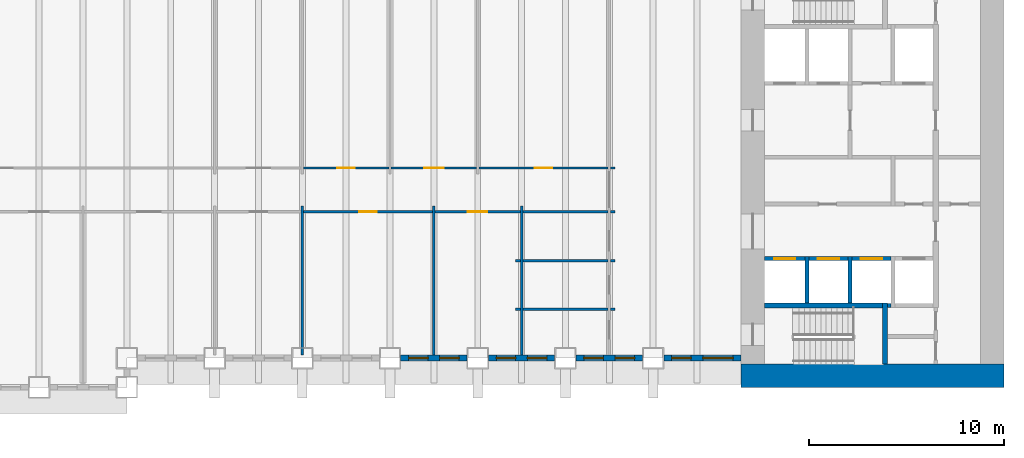
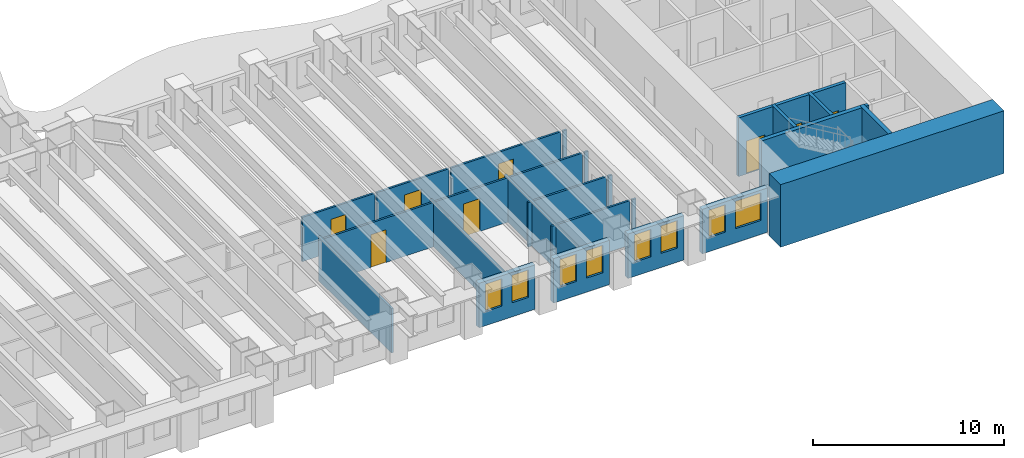
# One storey, part 5 of 16: 30 walls, 8 doors, 8 windows, 16 openings.
"""IFC4 building model written with IfcOpenShell, lengths in metres."""

from ifc_helpers import new_model, si_unit, direction, frame, frame_2d, origin, place, context, subcontext, project, spatial, rectangle, extrude, material, layer, layer_set, type_object, element, fill, save


model = new_model("IFC4")

# Units and contexts
model_context = context("Model", 3, precision=1e-05, world=origin(), true_north=direction((0.0, 1.0)))
body_context = subcontext(model_context, "Body", "Model", "MODEL_VIEW")
ifc_project = project(units=[si_unit("LENGTHUNIT", "METRE"), si_unit("AREAUNIT", "SQUARE_METRE"), si_unit("VOLUMEUNIT", "CUBIC_METRE"), si_unit("PLANEANGLEUNIT", "RADIAN"), si_unit("MASSUNIT", "GRAM", prefix="KILO")], contexts=[model_context])

# Site, building, storey
site_placement = place(None, origin())
site = spatial("IfcSite", under=ifc_project, at=site_placement, CompositionType="ELEMENT")
building_placement = place(site_placement, origin())
building = spatial("IfcBuilding", under=site, at=building_placement, Name="Sennacour Bend Tower", CompositionType="ELEMENT")
storey_placement = place(building_placement, frame((0.0, 0.0, 73.0)))
storey = spatial("IfcBuildingStorey", under=building, at=storey_placement, Name="L16", CompositionType="ELEMENT", Elevation=73.0)

# Walls
ifc_material_1 = material(Name="Concrete C80/95", Category="concrete")
ifc_layer_1 = layer(ifc_material_1, 1.199951171875, Name="Concrete C80/95", Category="concrete")
ifc_layer_set_1 = layer_set([ifc_layer_1], Name="Concrete C80/95")
wall_type_1 = type_object("IfcWallType", Name="Core wall 1200 C80/95", PredefinedType="SHEAR", material=ifc_layer_set_1)
wall_1_placement = place(storey_placement, frame((67.5, 0.60009765625, -0.14990234375), z_axis=(0.0, 0.0, 1.0), x_axis=(-1.0, 0.0, 0.0)))
element("IfcWall", 1, at=wall_1_placement, inside=storey, type_object=wall_type_1, Name="Core A wall L16 S", PredefinedType="SHEAR", context=body_context, shape_type="SweptSolid", body=[
    extrude(rectangle(XDim=13.5, YDim=1.199951171875, at=frame_2d((6.75, 0.0))), origin(), (0.0, 0.0, 1.0), 4.0),
])
ifc_material_2 = material(Name="Plasterboard partition on steel studs", Category="steel")
ifc_layer_2 = layer(ifc_material_2, 0.1201171875, Name="Plasterboard partition on steel studs", Category="steel")
ifc_layer_set_2 = layer_set([ifc_layer_2], Name="Plasterboard partition on steel studs")
wall_type_2 = type_object("IfcWallType", Name="Partition 120", PredefinedType="PARTITIONING", material=ifc_layer_set_2)
for number, where, z_axis, x_axis, name in (
    (2, (31.5, 1.64990234375, 0.0), (0.0, 0.0, 1.0), (0.0, 1.0, 0.0), "P-L16-W028a"),
    (3, (38.25, 1.64990234375, 0.0), (0.0, 0.0, 1.0), (0.0, 1.0, 0.0), "P-L16-W031a"),
    (4, (42.75, 1.64990234375, 0.0), (0.0, 0.0, 1.0), (0.0, 1.0, 0.0), "P-L16-W033a"),
):
    element("IfcWall", number, at=place(storey_placement, frame(where, z_axis=z_axis, x_axis=x_axis)), inside=storey, type_object=wall_type_2, Name=name, PredefinedType="PARTITIONING", context=body_context, shape_type="SweptSolid", body=[
        extrude(rectangle(XDim=7.650146484375, YDim=0.1201171875, at=frame_2d((3.8251953125, 0.0))), origin(), (0.0, 0.0, 1.0), 2.837890625),
    ])
wall_2_placement = place(storey_placement, frame((42.449951171875, 4.0, 0.0), z_axis=(0.0, 0.0, 1.0), x_axis=(1.0, 0.0, 0.0)))
element("IfcWall", 5, at=wall_2_placement, inside=storey, type_object=wall_type_2, Name="P-L16-W056aa", PredefinedType="PARTITIONING", context=body_context, shape_type="SweptSolid", body=[
    extrude(rectangle(XDim=0.239990234375, YDim=0.1201171875, at=frame_2d((0.1201171875, 0.0))), origin(), (0.0, 0.0, 1.0), 2.837890625),
])
wall_3_placement = place(storey_placement, frame((42.81005859375, 4.0, 0.0), z_axis=(0.0, 0.0, 1.0), x_axis=(1.0, 0.0, 0.0)))
element("IfcWall", 6, at=wall_3_placement, inside=storey, type_object=wall_type_2, Name="P-L16-W056ab", PredefinedType="PARTITIONING", context=body_context, shape_type="SweptSolid", body=[
    extrude(rectangle(XDim=4.3798828125, YDim=0.1201171875, at=frame_2d((2.18994140625, 0.0))), origin(), (0.0, 0.0, 1.0), 2.837890625),
])
for number, where, z_axis, x_axis, name in (
    (7, (47.31005859375, 4.0, 0.0), (0.0, 0.0, 1.0), (1.0, 0.0, 0.0), "P-L16-W056ac"),
    (8, (42.449951171875, 6.5, 0.0), (0.0, 0.0, 1.0), (1.0, 0.0, 0.0), "P-L16-W059aa"),
):
    element("IfcWall", number, at=place(storey_placement, frame(where, z_axis=z_axis, x_axis=x_axis)), inside=storey, type_object=wall_type_2, Name=name, PredefinedType="PARTITIONING", context=body_context, shape_type="SweptSolid", body=[
        extrude(rectangle(XDim=0.239990234375, YDim=0.1201171875, at=frame_2d((0.1201171875, 0.0))), origin(), (0.0, 0.0, 1.0), 2.837890625),
    ])
wall_4_placement = place(storey_placement, frame((42.81005859375, 6.5, 0.0), z_axis=(0.0, 0.0, 1.0), x_axis=(1.0, 0.0, 0.0)))
element("IfcWall", 9, at=wall_4_placement, inside=storey, type_object=wall_type_2, Name="P-L16-W059ab", PredefinedType="PARTITIONING", context=body_context, shape_type="SweptSolid", body=[
    extrude(rectangle(XDim=4.3798828125, YDim=0.1201171875, at=frame_2d((2.18994140625, 0.0))), origin(), (0.0, 0.0, 1.0), 2.837890625),
])
wall_5_placement = place(storey_placement, frame((47.31005859375, 6.5, 0.0), z_axis=(0.0, 0.0, 1.0), x_axis=(1.0, 0.0, 0.0)))
element("IfcWall", 10, at=wall_5_placement, inside=storey, type_object=wall_type_2, Name="P-L16-W059ac", PredefinedType="PARTITIONING", context=body_context, shape_type="SweptSolid", body=[
    extrude(rectangle(XDim=0.239990234375, YDim=0.1201171875, at=frame_2d((0.1201171875, 0.0))), origin(), (0.0, 0.0, 1.0), 2.837890625),
])

# Wall, opening, door
wall_6_placement = place(storey_placement, frame((38.31005859375, 9.0, 0.0), z_axis=(0.0, 0.0, 1.0), x_axis=(1.0, 0.0, 0.0)))
wall_6 = element("IfcWall", 11, at=wall_6_placement, inside=storey, type_object=wall_type_2, Name="P-L16-W061ag", PredefinedType="PARTITIONING", context=body_context, shape_type="SweptSolid", body=[
    extrude(rectangle(XDim=4.3798828125, YDim=0.1201171875, at=frame_2d((2.18994140625, 0.0))), origin(), (0.0, 0.0, 1.0), 2.837890625),
])
opening_1_placement = place(wall_6_placement, frame((1.68994140625, 0.0, 0.0)))
opening_1 = element("IfcOpeningElement", 12, at=opening_1_placement, cuts=wall_6, Name="Opening OD2", PredefinedType="OPENING", context=body_context, shape_type="SweptSolid", body=[
    extrude(rectangle(XDim=1.0, YDim=2.10009765625, at=frame_2d((0.5, 1.050048828125))), frame((0.0, 0.070068359375, 0.0), z_axis=(0.0, -1.0, 0.0), x_axis=(1.0, 0.0, 0.0)), (0.0, 0.0, 1.0), 0.14013671875),
])
ifc_material_3 = material(Name="Timber", Category="wood")
door_type_1 = type_object("IfcDoorType", Name="DR-OFFICE-1000", OperationType="NOTDEFINED", PredefinedType="DOOR", material=ifc_material_3)
door_1_placement = place(opening_1_placement, origin())
door_1 = element("IfcDoor", 13, at=door_1_placement, inside=storey, type_object=door_type_1, Name="Door", OperationType="SINGLE_SWING_LEFT", OverallHeight=2.10009765625, OverallWidth=1.0, PredefinedType="DOOR", context=body_context, shape_type="SweptSolid", body=[
    extrude(rectangle(XDim=1.0, YDim=2.10009765625, at=frame_2d((0.5, 1.050048828125))), frame((0.0, 0.02490234375, 0.0), z_axis=(0.0, -1.0, 0.0), x_axis=(1.0, 0.0, 0.0)), (0.0, 0.0, 1.0), 0.050048828125),
])
fill(opening_1, door_1)

# Walls
wall_7_placement = place(storey_placement, frame((42.81005859375, 9.0, 0.0), z_axis=(0.0, 0.0, 1.0), x_axis=(1.0, 0.0, 0.0)))
element("IfcWall", 14, at=wall_7_placement, inside=storey, type_object=wall_type_2, Name="P-L16-W061ah", PredefinedType="PARTITIONING", context=body_context, shape_type="SweptSolid", body=[
    extrude(rectangle(XDim=4.3798828125, YDim=0.1201171875, at=frame_2d((2.18994140625, 0.0))), origin(), (0.0, 0.0, 1.0), 2.837890625),
])
wall_8_placement = place(storey_placement, frame((47.31005859375, 9.0, 0.0), z_axis=(0.0, 0.0, 1.0), x_axis=(1.0, 0.0, 0.0)))
element("IfcWall", 15, at=wall_8_placement, inside=storey, type_object=wall_type_2, Name="P-L16-W061ai", PredefinedType="PARTITIONING", context=body_context, shape_type="SweptSolid", body=[
    extrude(rectangle(XDim=0.239990234375, YDim=0.1201171875, at=frame_2d((0.1201171875, 0.0))), origin(), (0.0, 0.0, 1.0), 2.837890625),
])

# Wall, opening, door
wall_9_placement = place(storey_placement, frame((36.06005859375, 11.25, 0.0), z_axis=(0.0, 0.0, 1.0), x_axis=(1.0, 0.0, 0.0)))
wall_9 = element("IfcWall", 16, at=wall_9_placement, inside=storey, type_object=wall_type_2, Name="P-L16-W063af", PredefinedType="PARTITIONING", context=body_context, shape_type="SweptSolid", body=[
    extrude(rectangle(XDim=4.3798828125, YDim=0.1201171875, at=frame_2d((2.18994140625, 0.0))), origin(), (0.0, 0.0, 1.0), 2.837890625),
])
opening_2_placement = place(wall_9_placement, frame((1.68994140625, 0.0, 0.0)))
opening_2 = element("IfcOpeningElement", 17, at=opening_2_placement, cuts=wall_9, Name="Opening OD2", PredefinedType="OPENING", context=body_context, shape_type="SweptSolid", body=[
    extrude(rectangle(XDim=1.0, YDim=2.10009765625, at=frame_2d((0.5, 1.050048828125))), frame((0.0, 0.070068359375, 0.0), z_axis=(0.0, -1.0, 0.0), x_axis=(1.0, 0.0, 0.0)), (0.0, 0.0, 1.0), 0.14013671875),
])
door_2_placement = place(opening_2_placement, origin())
door_2 = element("IfcDoor", 18, at=door_2_placement, inside=storey, type_object=door_type_1, Name="Door", OperationType="SINGLE_SWING_LEFT", OverallHeight=2.10009765625, OverallWidth=1.0, PredefinedType="DOOR", context=body_context, shape_type="SweptSolid", body=[
    extrude(rectangle(XDim=1.0, YDim=2.10009765625, at=frame_2d((0.5, 1.050048828125))), frame((0.0, 0.02490234375, 0.0), z_axis=(0.0, -1.0, 0.0), x_axis=(1.0, 0.0, 0.0)), (0.0, 0.0, 1.0), 0.050048828125),
])
fill(opening_2, door_2)

# Wall
wall_10_placement = place(storey_placement, frame((47.31005859375, 11.25, 0.0), z_axis=(0.0, 0.0, 1.0), x_axis=(1.0, 0.0, 0.0)))
element("IfcWall", 19, at=wall_10_placement, inside=storey, type_object=wall_type_2, Name="P-L16-W063ah", PredefinedType="PARTITIONING", context=body_context, shape_type="SweptSolid", body=[
    extrude(rectangle(XDim=0.239990234375, YDim=0.1201171875, at=frame_2d((0.1201171875, 0.0))), origin(), (0.0, 0.0, 1.0), 2.837890625),
])

# Wall, opening, door
ifc_layer_3 = layer(ifc_material_2, 0.1201171875, Name="Plasterboard partition on steel studs", Category="steel")
ifc_layer_set_3 = layer_set([ifc_layer_3], Name="Plasterboard partition on steel studs")
wall_type_3 = type_object("IfcWallType", Name="Partition 120 EI 60", PredefinedType="PARTITIONING", material=ifc_layer_set_3)
wall_11_placement = place(storey_placement, frame((31.56005859375, 9.0, 0.0), z_axis=(0.0, 0.0, 1.0), x_axis=(1.0, 0.0, 0.0)))
wall_11 = element("IfcWall", 20, at=wall_11_placement, inside=storey, type_object=wall_type_3, Name="P-L16-W061af", PredefinedType="PARTITIONING", context=body_context, shape_type="SweptSolid", body=[
    extrude(rectangle(XDim=6.6298828125, YDim=0.1201171875, at=frame_2d((3.31494140625, 0.0))), origin(), (0.0, 0.0, 1.0), 2.837890625),
])
opening_3_placement = place(wall_11_placement, frame((2.864990234375, 0.0, 0.0)))
opening_3 = element("IfcOpeningElement", 21, at=opening_3_placement, cuts=wall_11, Name="Opening SV", PredefinedType="OPENING", context=body_context, shape_type="SweptSolid", body=[
    extrude(rectangle(XDim=0.89990234375, YDim=2.10009765625, at=frame_2d((0.449951171875, 1.050048828125))), frame((0.0, 0.070068359375, 0.0), z_axis=(0.0, -1.0, 0.0), x_axis=(1.0, 0.0, 0.0)), (0.0, 0.0, 1.0), 0.14013671875),
])
ifc_material_4 = material(Name="Painted steel", Category="steel")
door_type_2 = type_object("IfcDoorType", Name="DR-SERVICE-900", OperationType="NOTDEFINED", PredefinedType="DOOR", material=ifc_material_4)
door_3_placement = place(opening_3_placement, origin())
door_3 = element("IfcDoor", 22, at=door_3_placement, inside=storey, type_object=door_type_2, Name="Door", OperationType="SINGLE_SWING_LEFT", OverallHeight=2.10009765625, OverallWidth=0.89990234375, PredefinedType="DOOR", context=body_context, shape_type="SweptSolid", body=[
    extrude(rectangle(XDim=0.89990234375, YDim=2.10009765625, at=frame_2d((0.449951171875, 1.050048828125))), frame((0.0, 0.02490234375, 0.0), z_axis=(0.0, -1.0, 0.0), x_axis=(1.0, 0.0, 0.0)), (0.0, 0.0, 1.0), 0.050048828125),
])
fill(opening_3, door_3)

wall_12_placement = place(storey_placement, frame((31.56005859375, 11.25, 0.0), z_axis=(0.0, 0.0, 1.0), x_axis=(1.0, 0.0, 0.0)))
wall_12 = element("IfcWall", 23, at=wall_12_placement, inside=storey, type_object=wall_type_3, Name="P-L16-W063ae", PredefinedType="PARTITIONING", context=body_context, shape_type="SweptSolid", body=[
    extrude(rectangle(XDim=4.3798828125, YDim=0.1201171875, at=frame_2d((2.18994140625, 0.0))), origin(), (0.0, 0.0, 1.0), 2.837890625),
])
opening_4_placement = place(wall_12_placement, frame((1.739990234375, 0.0, 0.0)))
opening_4 = element("IfcOpeningElement", 24, at=opening_4_placement, cuts=wall_12, Name="Opening SV", PredefinedType="OPENING", context=body_context, shape_type="SweptSolid", body=[
    extrude(rectangle(XDim=0.89990234375, YDim=2.10009765625, at=frame_2d((0.449951171875, 1.050048828125))), frame((0.0, 0.070068359375, 0.0), z_axis=(0.0, -1.0, 0.0), x_axis=(1.0, 0.0, 0.0)), (0.0, 0.0, 1.0), 0.14013671875),
])
door_4_placement = place(opening_4_placement, origin())
door_4 = element("IfcDoor", 25, at=door_4_placement, inside=storey, type_object=door_type_2, Name="Door", OperationType="SINGLE_SWING_LEFT", OverallHeight=2.10009765625, OverallWidth=0.89990234375, PredefinedType="DOOR", context=body_context, shape_type="SweptSolid", body=[
    extrude(rectangle(XDim=0.89990234375, YDim=2.10009765625, at=frame_2d((0.449951171875, 1.050048828125))), frame((0.0, 0.02490234375, 0.0), z_axis=(0.0, -1.0, 0.0), x_axis=(1.0, 0.0, 0.0)), (0.0, 0.0, 1.0), 0.050048828125),
])
fill(opening_4, door_4)

wall_13_placement = place(storey_placement, frame((40.56005859375, 11.25, 0.0), z_axis=(0.0, 0.0, 1.0), x_axis=(1.0, 0.0, 0.0)))
wall_13 = element("IfcWall", 26, at=wall_13_placement, inside=storey, type_object=wall_type_3, Name="P-L16-W063ag", PredefinedType="PARTITIONING", context=body_context, shape_type="SweptSolid", body=[
    extrude(rectangle(XDim=6.6298828125, YDim=0.1201171875, at=frame_2d((3.31494140625, 0.0))), origin(), (0.0, 0.0, 1.0), 2.837890625),
])
opening_5_placement = place(wall_13_placement, frame((2.864990234375, 0.0, 0.0)))
opening_5 = element("IfcOpeningElement", 27, at=opening_5_placement, cuts=wall_13, Name="Opening SV", PredefinedType="OPENING", context=body_context, shape_type="SweptSolid", body=[
    extrude(rectangle(XDim=0.89990234375, YDim=2.10009765625, at=frame_2d((0.449951171875, 1.050048828125))), frame((0.0, 0.070068359375, 0.0), z_axis=(0.0, -1.0, 0.0), x_axis=(1.0, 0.0, 0.0)), (0.0, 0.0, 1.0), 0.14013671875),
])
door_5_placement = place(opening_5_placement, origin())
door_5 = element("IfcDoor", 28, at=door_5_placement, inside=storey, type_object=door_type_2, Name="Door", OperationType="SINGLE_SWING_LEFT", OverallHeight=2.10009765625, OverallWidth=0.89990234375, PredefinedType="DOOR", context=body_context, shape_type="SweptSolid", body=[
    extrude(rectangle(XDim=0.89990234375, YDim=2.10009765625, at=frame_2d((0.449951171875, 1.050048828125))), frame((0.0, 0.02490234375, 0.0), z_axis=(0.0, -1.0, 0.0), x_axis=(1.0, 0.0, 0.0)), (0.0, 0.0, 1.0), 0.050048828125),
])
fill(opening_5, door_5)

# Wall, openings, windows
ifc_material_5 = material(Name="Warm limestone cladding", Category="masonry")
ifc_layer_4 = layer(ifc_material_5, 0.050048828125, Name="Warm limestone cladding", Category="masonry")
ifc_material_6 = material(Name="Precast concrete C40/50", Category="concrete")
ifc_layer_5 = layer(ifc_material_6, 0.25, Name="Precast concrete C40/50", Category="concrete")
ifc_layer_set_4 = layer_set([ifc_layer_4, ifc_layer_5], Name="Precast concrete C40/50 with limestone cladding")
wall_type_4 = type_object("IfcWallType", Name="STONE-CLAD PRECAST SPANDREL 300", PredefinedType="STANDARD", material=ifc_layer_set_4)
wall_14_placement = place(storey_placement, frame((36.550048828125, 1.5, 0.0), z_axis=(0.0, 0.0, 1.0), x_axis=(1.0, 0.0, 0.0)))
wall_14 = element("IfcWall", 29, at=wall_14_placement, inside=storey, type_object=wall_type_4, Name="Stone spandrel and pier wall L16 02.03", PredefinedType="STANDARD", context=body_context, shape_type="SweptSolid", body=[
    extrude(rectangle(XDim=3.39990234375, YDim=0.300048828125, at=frame_2d((1.699951171875, 0.0))), origin(), (0.0, 0.0, 1.0), 2.837890625),
])
opening_6_placement = place(wall_14_placement, frame((0.39990234375, 0.0, 0.89990234375)))
opening_6 = element("IfcOpeningElement", 30, at=opening_6_placement, cuts=wall_14, Name="Opening W11", PredefinedType="OPENING", context=body_context, shape_type="SweptSolid", body=[
    extrude(rectangle(XDim=1.0, YDim=1.75, at=frame_2d((0.5, 0.875))), frame((0.0, 0.16015625, 0.0), z_axis=(0.0, -1.0, 0.0), x_axis=(1.0, 0.0, 0.0)), (0.0, 0.0, 1.0), 0.320068359375),
])
opening_7_placement = place(wall_14_placement, frame((2.0, 0.0, 0.89990234375)))
opening_7 = element("IfcOpeningElement", 31, at=opening_7_placement, cuts=wall_14, Name="Opening W11", PredefinedType="OPENING", context=body_context, shape_type="SweptSolid", body=[
    extrude(rectangle(XDim=1.0, YDim=1.75, at=frame_2d((0.5, 0.875))), frame((0.0, 0.16015625, 0.0), z_axis=(0.0, -1.0, 0.0), x_axis=(1.0, 0.0, 0.0)), (0.0, 0.0, 1.0), 0.320068359375),
])
ifc_material_7 = material(Name="Clear low-emissivity glass", Category="glass")
window_type_1 = type_object("IfcWindowType", Name="WIN-RIBBON-1000x1750", PartitioningType="SINGLE_PANEL", PredefinedType="WINDOW", material=ifc_material_7)
window_1_placement = place(opening_6_placement, origin())
window_1 = element("IfcWindow", 32, at=window_1_placement, inside=storey, type_object=window_type_1, Name="Ribbon window L16 02.03.0", OverallHeight=1.75, OverallWidth=1.0, PartitioningType="SINGLE_PANEL", PredefinedType="WINDOW", context=body_context, shape_type="SweptSolid", body=[
    extrude(rectangle(XDim=1.0, YDim=1.75, at=frame_2d((0.5, 0.875))), frame((0.0, 0.030029296875, 0.0), z_axis=(0.0, -1.0, 0.0), x_axis=(1.0, 0.0, 0.0)), (0.0, 0.0, 1.0), 0.06005859375),
])
fill(opening_6, window_1)
window_2_placement = place(opening_7_placement, origin())
window_2 = element("IfcWindow", 33, at=window_2_placement, inside=storey, type_object=window_type_1, Name="Ribbon window L16 02.03.1", OverallHeight=1.75, OverallWidth=1.0, PartitioningType="SINGLE_PANEL", PredefinedType="WINDOW", context=body_context, shape_type="SweptSolid", body=[
    extrude(rectangle(XDim=1.0, YDim=1.75, at=frame_2d((0.5, 0.875))), frame((0.0, 0.030029296875, 0.0), z_axis=(0.0, -1.0, 0.0), x_axis=(1.0, 0.0, 0.0)), (0.0, 0.0, 1.0), 0.06005859375),
])
fill(opening_7, window_2)

wall_15_placement = place(storey_placement, frame((41.050048828125, 1.5, 0.0), z_axis=(0.0, 0.0, 1.0), x_axis=(1.0, 0.0, 0.0)))
wall_15 = element("IfcWall", 34, at=wall_15_placement, inside=storey, type_object=wall_type_4, Name="Stone spandrel and pier wall L16 02.04", PredefinedType="STANDARD", context=body_context, shape_type="SweptSolid", body=[
    extrude(rectangle(XDim=3.39990234375, YDim=0.300048828125, at=frame_2d((1.699951171875, 0.0))), origin(), (0.0, 0.0, 1.0), 2.837890625),
])
opening_8_placement = place(wall_15_placement, frame((0.39990234375, 0.0, 0.89990234375)))
opening_8 = element("IfcOpeningElement", 35, at=opening_8_placement, cuts=wall_15, Name="Opening W11", PredefinedType="OPENING", context=body_context, shape_type="SweptSolid", body=[
    extrude(rectangle(XDim=1.0, YDim=1.75, at=frame_2d((0.5, 0.875))), frame((0.0, 0.16015625, 0.0), z_axis=(0.0, -1.0, 0.0), x_axis=(1.0, 0.0, 0.0)), (0.0, 0.0, 1.0), 0.320068359375),
])
opening_9_placement = place(wall_15_placement, frame((2.0, 0.0, 0.89990234375)))
opening_9 = element("IfcOpeningElement", 36, at=opening_9_placement, cuts=wall_15, Name="Opening W11", PredefinedType="OPENING", context=body_context, shape_type="SweptSolid", body=[
    extrude(rectangle(XDim=1.0, YDim=1.75, at=frame_2d((0.5, 0.875))), frame((0.0, 0.16015625, 0.0), z_axis=(0.0, -1.0, 0.0), x_axis=(1.0, 0.0, 0.0)), (0.0, 0.0, 1.0), 0.320068359375),
])
window_3_placement = place(opening_8_placement, origin())
window_3 = element("IfcWindow", 37, at=window_3_placement, inside=storey, type_object=window_type_1, Name="Ribbon window L16 02.04.0", OverallHeight=1.75, OverallWidth=1.0, PartitioningType="SINGLE_PANEL", PredefinedType="WINDOW", context=body_context, shape_type="SweptSolid", body=[
    extrude(rectangle(XDim=1.0, YDim=1.75, at=frame_2d((0.5, 0.875))), frame((0.0, 0.030029296875, 0.0), z_axis=(0.0, -1.0, 0.0), x_axis=(1.0, 0.0, 0.0)), (0.0, 0.0, 1.0), 0.06005859375),
])
fill(opening_8, window_3)
window_4_placement = place(opening_9_placement, origin())
window_4 = element("IfcWindow", 38, at=window_4_placement, inside=storey, type_object=window_type_1, Name="Ribbon window L16 02.04.1", OverallHeight=1.75, OverallWidth=1.0, PartitioningType="SINGLE_PANEL", PredefinedType="WINDOW", context=body_context, shape_type="SweptSolid", body=[
    extrude(rectangle(XDim=1.0, YDim=1.75, at=frame_2d((0.5, 0.875))), frame((0.0, 0.030029296875, 0.0), z_axis=(0.0, -1.0, 0.0), x_axis=(1.0, 0.0, 0.0)), (0.0, 0.0, 1.0), 0.06005859375),
])
fill(opening_9, window_4)

wall_16_placement = place(storey_placement, frame((45.550048828125, 1.5, 0.0), z_axis=(0.0, 0.0, 1.0), x_axis=(1.0, 0.0, 0.0)))
wall_16 = element("IfcWall", 39, at=wall_16_placement, inside=storey, type_object=wall_type_4, Name="Stone spandrel and pier wall L16 02.05", PredefinedType="STANDARD", context=body_context, shape_type="SweptSolid", body=[
    extrude(rectangle(XDim=3.39990234375, YDim=0.300048828125, at=frame_2d((1.699951171875, 0.0))), origin(), (0.0, 0.0, 1.0), 2.837890625),
])
opening_10_placement = place(wall_16_placement, frame((0.39990234375, 0.0, 0.89990234375)))
opening_10 = element("IfcOpeningElement", 40, at=opening_10_placement, cuts=wall_16, Name="Opening W11", PredefinedType="OPENING", context=body_context, shape_type="SweptSolid", body=[
    extrude(rectangle(XDim=1.0, YDim=1.75, at=frame_2d((0.5, 0.875))), frame((0.0, 0.16015625, 0.0), z_axis=(0.0, -1.0, 0.0), x_axis=(1.0, 0.0, 0.0)), (0.0, 0.0, 1.0), 0.320068359375),
])
opening_11_placement = place(wall_16_placement, frame((2.0, 0.0, 0.89990234375)))
opening_11 = element("IfcOpeningElement", 41, at=opening_11_placement, cuts=wall_16, Name="Opening W11", PredefinedType="OPENING", context=body_context, shape_type="SweptSolid", body=[
    extrude(rectangle(XDim=1.0, YDim=1.75, at=frame_2d((0.5, 0.875))), frame((0.0, 0.16015625, 0.0), z_axis=(0.0, -1.0, 0.0), x_axis=(1.0, 0.0, 0.0)), (0.0, 0.0, 1.0), 0.320068359375),
])
window_5_placement = place(opening_10_placement, origin())
window_5 = element("IfcWindow", 42, at=window_5_placement, inside=storey, type_object=window_type_1, Name="Ribbon window L16 02.05.0", OverallHeight=1.75, OverallWidth=1.0, PartitioningType="SINGLE_PANEL", PredefinedType="WINDOW", context=body_context, shape_type="SweptSolid", body=[
    extrude(rectangle(XDim=1.0, YDim=1.75, at=frame_2d((0.5, 0.875))), frame((0.0, 0.030029296875, 0.0), z_axis=(0.0, -1.0, 0.0), x_axis=(1.0, 0.0, 0.0)), (0.0, 0.0, 1.0), 0.06005859375),
])
fill(opening_10, window_5)
window_6_placement = place(opening_11_placement, origin())
window_6 = element("IfcWindow", 43, at=window_6_placement, inside=storey, type_object=window_type_1, Name="Ribbon window L16 02.05.1", OverallHeight=1.75, OverallWidth=1.0, PartitioningType="SINGLE_PANEL", PredefinedType="WINDOW", context=body_context, shape_type="SweptSolid", body=[
    extrude(rectangle(XDim=1.0, YDim=1.75, at=frame_2d((0.5, 0.875))), frame((0.0, 0.030029296875, 0.0), z_axis=(0.0, -1.0, 0.0), x_axis=(1.0, 0.0, 0.0)), (0.0, 0.0, 1.0), 0.06005859375),
])
fill(opening_11, window_6)

wall_17_placement = place(storey_placement, frame((50.050048828125, 1.5, 0.0), z_axis=(0.0, 0.0, 1.0), x_axis=(1.0, 0.0, 0.0)))
wall_17 = element("IfcWall", 44, at=wall_17_placement, inside=storey, type_object=wall_type_4, Name="Stone spandrel and pier wall L16 02.06", PredefinedType="STANDARD", context=body_context, shape_type="SweptSolid", body=[
    extrude(rectangle(XDim=3.949951171875, YDim=0.300048828125, at=frame_2d((1.97509765625, 0.0))), origin(), (0.0, 0.0, 1.0), 2.837890625),
])
opening_12_placement = place(wall_17_placement, frame((0.39990234375, 0.0, 0.89990234375)))
opening_12 = element("IfcOpeningElement", 45, at=opening_12_placement, cuts=wall_17, Name="Opening W11", PredefinedType="OPENING", context=body_context, shape_type="SweptSolid", body=[
    extrude(rectangle(XDim=1.0, YDim=1.75, at=frame_2d((0.5, 0.875))), frame((0.0, 0.16015625, 0.0), z_axis=(0.0, -1.0, 0.0), x_axis=(1.0, 0.0, 0.0)), (0.0, 0.0, 1.0), 0.320068359375),
])
opening_13_placement = place(wall_17_placement, frame((2.0, 0.0, 0.89990234375)))
opening_13 = element("IfcOpeningElement", 46, at=opening_13_placement, cuts=wall_17, Name="Opening W12", PredefinedType="OPENING", context=body_context, shape_type="SweptSolid", body=[
    extrude(rectangle(XDim=1.550048828125, YDim=1.75, at=frame_2d((0.77490234375, 0.875))), frame((0.0, 0.16015625, 0.0), z_axis=(0.0, -1.0, 0.0), x_axis=(1.0, 0.0, 0.0)), (0.0, 0.0, 1.0), 0.320068359375),
])
window_7_placement = place(opening_12_placement, origin())
window_7 = element("IfcWindow", 47, at=window_7_placement, inside=storey, type_object=window_type_1, Name="Ribbon window L16 02.06.0", OverallHeight=1.75, OverallWidth=1.0, PartitioningType="SINGLE_PANEL", PredefinedType="WINDOW", context=body_context, shape_type="SweptSolid", body=[
    extrude(rectangle(XDim=1.0, YDim=1.75, at=frame_2d((0.5, 0.875))), frame((0.0, 0.030029296875, 0.0), z_axis=(0.0, -1.0, 0.0), x_axis=(1.0, 0.0, 0.0)), (0.0, 0.0, 1.0), 0.06005859375),
])
fill(opening_12, window_7)
window_type_2 = type_object("IfcWindowType", Name="WIN-RIBBON-1550x1750", PartitioningType="SINGLE_PANEL", PredefinedType="WINDOW", material=ifc_material_7)
window_8_placement = place(opening_13_placement, origin())
window_8 = element("IfcWindow", 48, at=window_8_placement, inside=storey, type_object=window_type_2, Name="Ribbon window L16 02.06.1", OverallHeight=1.75, OverallWidth=1.550048828125, PartitioningType="SINGLE_PANEL", PredefinedType="WINDOW", context=body_context, shape_type="SweptSolid", body=[
    extrude(rectangle(XDim=1.550048828125, YDim=1.75, at=frame_2d((0.77490234375, 0.875))), frame((0.0, 0.030029296875, 0.0), z_axis=(0.0, -1.0, 0.0), x_axis=(1.0, 0.0, 0.0)), (0.0, 0.0, 1.0), 0.06005859375),
])
fill(opening_13, window_8)

# Walls
ifc_material_8 = material(Name="Concrete C50/60", Category="concrete")
ifc_layer_6 = layer(ifc_material_8, 0.199951171875, Name="Concrete C50/60", Category="concrete")
ifc_layer_set_5 = layer_set([ifc_layer_6], Name="Concrete C50/60")
wall_type_5 = type_object("IfcWallType", Name="Shaft wall 200", PredefinedType="SOLIDWALL", material=ifc_layer_set_5)
for number, where, z_axis, x_axis, name in (
    (49, (57.39990234375, 4.324951171875, 0.0), (0.0, 0.0, 1.0), (0.0, 1.0, 0.0), "P-L16-W036"),
    (50, (59.60009765625, 4.324951171875, 0.0), (0.0, 0.0, 1.0), (0.0, 1.0, 0.0), "P-L16-W038"),
):
    element("IfcWall", number, at=place(storey_placement, frame(where, z_axis=z_axis, x_axis=x_axis)), inside=storey, type_object=wall_type_5, Name=name, PredefinedType="SOLIDWALL", context=body_context, shape_type="SweptSolid", body=[
        extrude(rectangle(XDim=2.375, YDim=0.199951171875, at=frame_2d((1.1875, 0.0))), origin(), (0.0, 0.0, 1.0), 3.75),
    ])
wall_18_placement = place(storey_placement, frame((61.52490234375, 4.199951171875, 0.0), z_axis=(0.0, 0.0, 1.0), x_axis=(1.0, 0.0, 0.0)))
element("IfcWall", 51, at=wall_18_placement, inside=storey, type_object=wall_type_5, Name="P-L16-W058a", PredefinedType="SOLIDWALL", context=body_context, shape_type="SweptSolid", body=[
    extrude(rectangle(XDim=0.175048828125, YDim=0.199951171875, at=frame_2d((0.08740234375, 0.0))), origin(), (0.0, 0.0, 1.0), 3.75),
])

# Wall, opening, door
wall_19_placement = place(storey_placement, frame((55.199951171875, 6.60009765625, 0.0), z_axis=(0.0, 0.0, 1.0), x_axis=(1.0, 0.0, 0.0)))
wall_19 = element("IfcWall", 52, at=wall_19_placement, inside=storey, type_object=wall_type_5, Name="P-L16-W060a", PredefinedType="SOLIDWALL", context=body_context, shape_type="SweptSolid", body=[
    extrude(rectangle(XDim=2.10009765625, YDim=0.199951171875, at=frame_2d((1.050048828125, 0.0))), origin(), (0.0, 0.0, 1.0), 3.75),
])
opening_14_placement = place(wall_19_placement, frame((0.5, 0.0, 0.011962890625)))
opening_14 = element("IfcOpeningElement", 53, at=opening_14_placement, cuts=wall_19, Name="Opening LD", PredefinedType="OPENING", context=body_context, shape_type="SweptSolid", body=[
    extrude(rectangle(XDim=1.10009765625, YDim=2.10009765625, at=frame_2d((0.550048828125, 1.050048828125))), frame((0.0, 0.10986328125, 0.0), z_axis=(0.0, -1.0, 0.0), x_axis=(1.0, 0.0, 0.0)), (0.0, 0.0, 1.0), 0.219970703125),
])
ifc_material_9 = material(Name="Stainless steel", Category="steel")
door_type_3 = type_object("IfcDoorType", Name="DR-LANDING-1100", OperationType="NOTDEFINED", PredefinedType="DOOR", material=ifc_material_9)
door_6_placement = place(opening_14_placement, origin())
door_6 = element("IfcDoor", 54, at=door_6_placement, inside=storey, type_object=door_type_3, Name="Lift landing door LA1", OperationType="SLIDING_TO_LEFT", OverallHeight=2.10009765625, OverallWidth=1.10009765625, PredefinedType="DOOR", context=body_context, shape_type="SweptSolid", body=[
    extrude(rectangle(XDim=1.10009765625, YDim=2.10009765625, at=frame_2d((0.550048828125, 1.050048828125))), frame((0.0, 0.02490234375, 0.0), z_axis=(0.0, -1.0, 0.0), x_axis=(1.0, 0.0, 0.0)), (0.0, 0.0, 1.0), 0.050048828125),
])
fill(opening_14, door_6)

wall_20_placement = place(storey_placement, frame((57.5, 6.60009765625, 0.0), z_axis=(0.0, 0.0, 1.0), x_axis=(1.0, 0.0, 0.0)))
wall_20 = element("IfcWall", 55, at=wall_20_placement, inside=storey, type_object=wall_type_5, Name="P-L16-W060b", PredefinedType="SOLIDWALL", context=body_context, shape_type="SweptSolid", body=[
    extrude(rectangle(XDim=2.0, YDim=0.199951171875, at=frame_2d((1.0, 0.0))), origin(), (0.0, 0.0, 1.0), 3.75),
])
opening_15_placement = place(wall_20_placement, frame((0.449951171875, 0.0, 0.011962890625)))
opening_15 = element("IfcOpeningElement", 56, at=opening_15_placement, cuts=wall_20, Name="Opening LD", PredefinedType="OPENING", context=body_context, shape_type="SweptSolid", body=[
    extrude(rectangle(XDim=1.10009765625, YDim=2.10009765625, at=frame_2d((0.550048828125, 1.050048828125))), frame((0.0, 0.10986328125, 0.0), z_axis=(0.0, -1.0, 0.0), x_axis=(1.0, 0.0, 0.0)), (0.0, 0.0, 1.0), 0.219970703125),
])
door_7_placement = place(opening_15_placement, origin())
door_7 = element("IfcDoor", 57, at=door_7_placement, inside=storey, type_object=door_type_3, Name="Lift landing door LA2", OperationType="SLIDING_TO_RIGHT", OverallHeight=2.10009765625, OverallWidth=1.10009765625, PredefinedType="DOOR", context=body_context, shape_type="SweptSolid", body=[
    extrude(rectangle(XDim=1.10009765625, YDim=2.10009765625, at=frame_2d((0.550048828125, 1.050048828125))), frame((0.0, 0.02490234375, 0.0), z_axis=(0.0, -1.0, 0.0), x_axis=(1.0, 0.0, 0.0)), (0.0, 0.0, 1.0), 0.050048828125),
])
fill(opening_15, door_7)

wall_21_placement = place(storey_placement, frame((59.699951171875, 6.60009765625, 0.0), z_axis=(0.0, 0.0, 1.0), x_axis=(1.0, 0.0, 0.0)))
wall_21 = element("IfcWall", 58, at=wall_21_placement, inside=storey, type_object=wall_type_5, Name="P-L16-W060c", PredefinedType="SOLIDWALL", context=body_context, shape_type="SweptSolid", body=[
    extrude(rectangle(XDim=2.0, YDim=0.199951171875, at=frame_2d((1.0, 0.0))), origin(), (0.0, 0.0, 1.0), 3.75),
])
opening_16_placement = place(wall_21_placement, frame((0.449951171875, 0.0, 0.011962890625)))
opening_16 = element("IfcOpeningElement", 59, at=opening_16_placement, cuts=wall_21, Name="Opening LD", PredefinedType="OPENING", context=body_context, shape_type="SweptSolid", body=[
    extrude(rectangle(XDim=1.10009765625, YDim=2.10009765625, at=frame_2d((0.550048828125, 1.050048828125))), frame((0.0, 0.10986328125, 0.0), z_axis=(0.0, -1.0, 0.0), x_axis=(1.0, 0.0, 0.0)), (0.0, 0.0, 1.0), 0.219970703125),
])
door_8_placement = place(opening_16_placement, origin())
door_8 = element("IfcDoor", 60, at=door_8_placement, inside=storey, type_object=door_type_3, Name="Lift landing door LA3", OperationType="SLIDING_TO_LEFT", OverallHeight=2.10009765625, OverallWidth=1.10009765625, PredefinedType="DOOR", context=body_context, shape_type="SweptSolid", body=[
    extrude(rectangle(XDim=1.10009765625, YDim=2.10009765625, at=frame_2d((0.550048828125, 1.050048828125))), frame((0.0, 0.02490234375, 0.0), z_axis=(0.0, -1.0, 0.0), x_axis=(1.0, 0.0, 0.0)), (0.0, 0.0, 1.0), 0.050048828125),
])
fill(opening_16, door_8)

# Walls
ifc_material_10 = material(Name="Concrete C60/75", Category="concrete")
ifc_layer_7 = layer(ifc_material_10, 0.25, Name="Concrete C60/75", Category="concrete")
ifc_layer_set_6 = layer_set([ifc_layer_7], Name="Concrete C60/75")
wall_type_6 = type_object("IfcWallType", Name="Stair wall 250", PredefinedType="SHEAR", material=ifc_layer_set_6)
wall_22_placement = place(storey_placement, frame((61.39990234375, 1.199951171875, 0.0), z_axis=(0.0, 0.0, 1.0), x_axis=(0.0, 1.0, 0.0)))
element("IfcWall", 61, at=wall_22_placement, inside=storey, type_object=wall_type_6, Name="P-L16-W041", PredefinedType="SHEAR", context=body_context, shape_type="SweptSolid", body=[
    extrude(rectangle(XDim=3.125, YDim=0.25, at=frame_2d((1.5625, 0.0))), origin(), (0.0, 0.0, 1.0), 3.75),
])
wall_23_placement = place(storey_placement, frame((55.199951171875, 4.199951171875, 0.0), z_axis=(0.0, 0.0, 1.0), x_axis=(1.0, 0.0, 0.0)))
element("IfcWall", 62, at=wall_23_placement, inside=storey, type_object=wall_type_6, Name="P-L16-W057", PredefinedType="SHEAR", context=body_context, shape_type="SweptSolid", body=[
    extrude(rectangle(XDim=6.074951171875, YDim=0.25, at=frame_2d((3.03759765625, 0.0))), origin(), (0.0, 0.0, 1.0), 3.75),
])

save(model, "model.ifc")
